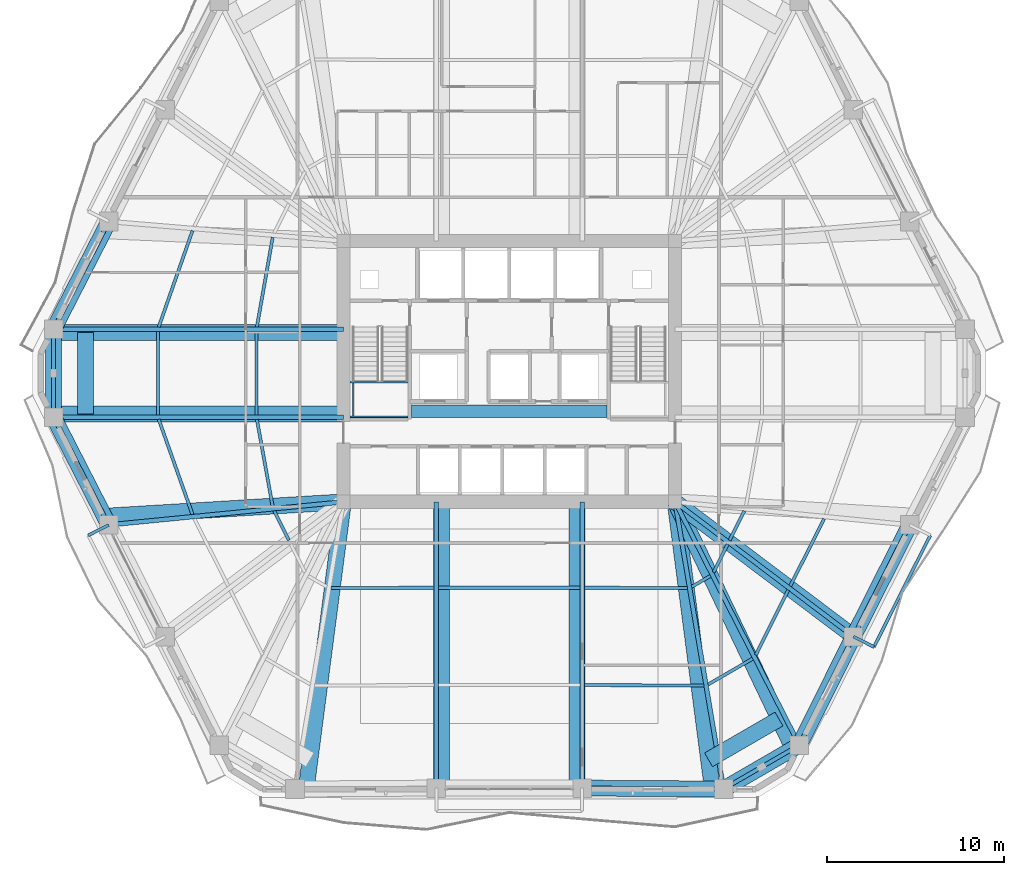
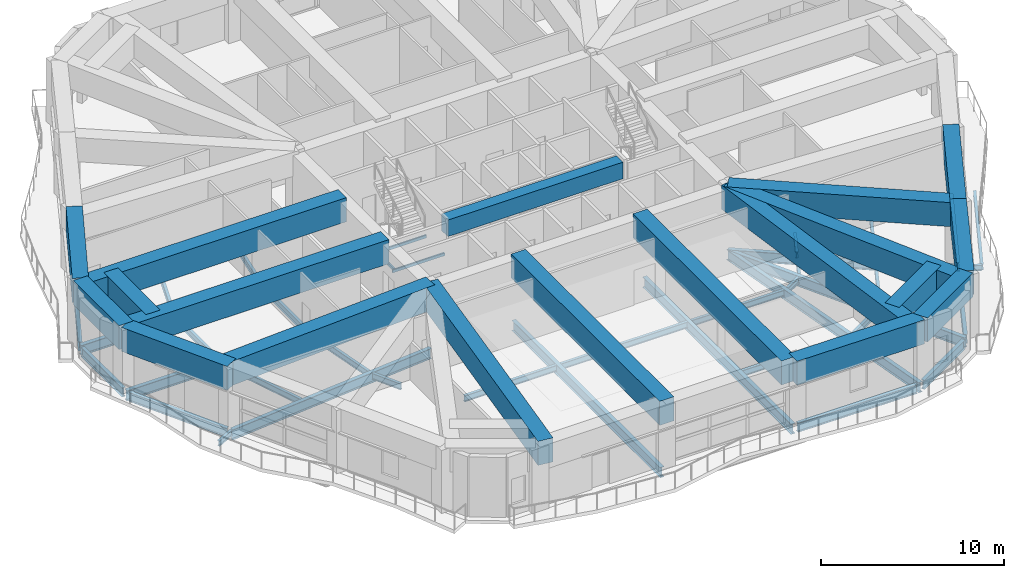
# One storey, part 6 of 23: 57 beams.
"""IFC4 building model written with IfcOpenShell, lengths in metres."""

from ifc_helpers import new_model, si_unit, direction, frame, origin, origin_2d, place, context, subcontext, project, spatial, rectangle, hollow_rectangle, i_section, extrude, material, material_profile, profile_set, type_object, element, save


model = new_model("IFC4")

# Units and contexts
model_context = context("Model", 3, precision=1e-05, world=origin(), true_north=direction((0.0, 1.0)))
body_context = subcontext(model_context, "Body", "Model", "MODEL_VIEW")
ifc_project = project(units=[si_unit("LENGTHUNIT", "METRE"), si_unit("AREAUNIT", "SQUARE_METRE"), si_unit("VOLUMEUNIT", "CUBIC_METRE"), si_unit("PLANEANGLEUNIT", "RADIAN"), si_unit("MASSUNIT", "GRAM", prefix="KILO")], contexts=[model_context])

# Site, building, storey
site_placement = place(None, origin())
site = spatial("IfcSite", under=ifc_project, at=site_placement, CompositionType="ELEMENT")
building_placement = place(site_placement, origin())
building = spatial("IfcBuilding", under=site, at=building_placement, Name="Cinnabar Lancet Tower", CompositionType="ELEMENT")
storey_placement = place(building_placement, frame((0.0, 0.0, 94.199951171875)))
storey = spatial("IfcBuildingStorey", under=building, at=storey_placement, Name="L24", CompositionType="ELEMENT", Elevation=94.199951171875)

# Beams
ifc_material_1 = material(Name="Concrete C70/85", Category="concrete")
ifc_material_profile_1 = material_profile(ifc_material_1, rectangle(XDim=0.89990234375, YDim=1.60009765625, at=origin_2d()), Name="RC-BG 900x1600")
ifc_profile_set_1 = profile_set([ifc_material_profile_1], Name="Concrete C70/85")
beam_type_1 = type_object("IfcBeamType", Name="STR-BM-BG-1600", PredefinedType="BEAM", material=ifc_profile_set_1)
beam_1_placement = place(storey_placement, frame((36.52197265625, 2.342041015625, 3.400146484375), z_axis=(0.999978046407, -0.006626213389, 0.0), x_axis=(0.006626213389, 0.999978046407, 0.0)))
element("IfcBeam", 1, at=beam_1_placement, inside=storey, type_object=beam_type_1, Name="L25 Setback Outer Ring Girder 3", PredefinedType="BEAM", context=body_context, shape_type="SweptSolid", body=[
    extrude(rectangle(XDim=0.89990234375, YDim=1.60009765625, at=origin_2d()), origin(), (0.0, 0.0, 1.0), 7.995361328125),
])
beam_2_placement = place(storey_placement, frame((44.51708984375, 2.2890625, 3.400146484375), z_axis=(0.865200119829, 0.501426717126, 0.0), x_axis=(-0.501426717126, 0.865200119829, 0.0)))
element("IfcBeam", 2, at=beam_2_placement, inside=storey, type_object=beam_type_1, Name="L25 Setback Outer Ring Girder 4", PredefinedType="BEAM", context=body_context, shape_type="SweptSolid", body=[
    extrude(rectangle(XDim=0.89990234375, YDim=1.60009765625, at=origin_2d()), origin(), (0.0, 0.0, 1.0), 4.95361328125),
])
beam_3_placement = place(storey_placement, frame((48.802978515625, 4.77294921875, 3.400146484375), z_axis=(0.445802654818, 0.895131271355, 0.0), x_axis=(-0.895131271355, 0.445802654818, 0.0)))
element("IfcBeam", 3, at=beam_3_placement, inside=storey, type_object=beam_type_1, Name="L25 Setback Outer Ring Girder 5", PredefinedType="BEAM", context=body_context, shape_type="SweptSolid", body=[
    extrude(rectangle(XDim=0.89990234375, YDim=1.60009765625, at=origin_2d()), origin(), (0.0, 0.0, 1.0), 6.854736328125),
])
beam_4_placement = place(storey_placement, frame((51.85888671875, 10.908935546875, 3.400146484375), z_axis=(0.450773692627, 0.892638268301, 0.0), x_axis=(-0.892638268301, 0.450773692627, 0.0)))
element("IfcBeam", 4, at=beam_4_placement, inside=storey, type_object=beam_type_1, Name="L25 Setback Outer Ring Girder 6", PredefinedType="BEAM", context=body_context, shape_type="SweptSolid", body=[
    extrude(rectangle(XDim=0.89990234375, YDim=1.60009765625, at=origin_2d()), origin(), (0.0, 0.0, 1.0), 7.070068359375),
])
beam_5_placement = place(storey_placement, frame((9.75390625, 34.3798828125, 3.400146484375), z_axis=(-0.45593511647, -0.890013016517, 0.0), x_axis=(0.890013016517, -0.45593511647, 0.0)))
element("IfcBeam", 5, at=beam_5_placement, inside=storey, type_object=beam_type_1, Name="L25 Setback Outer Ring Girder 19", PredefinedType="BEAM", context=body_context, shape_type="SweptSolid", body=[
    extrude(rectangle(XDim=0.89990234375, YDim=1.60009765625, at=origin_2d()), origin(), (0.0, 0.0, 1.0), 6.84716796875),
])
beam_6_placement = place(storey_placement, frame((6.632080078125, 28.285888671875, 3.400146484375), z_axis=(0.0, -1.0, 0.0), x_axis=(1.0, 0.0, 0.0)))
element("IfcBeam", 6, at=beam_6_placement, inside=storey, type_object=beam_type_1, Name="L25 Setback Outer Ring Girder 20", PredefinedType="BEAM", context=body_context, shape_type="SweptSolid", body=[
    extrude(rectangle(XDim=0.89990234375, YDim=1.60009765625, at=origin_2d()), origin(), (0.0, 0.0, 1.0), 4.971923828125),
])
beam_7_placement = place(storey_placement, frame((6.632080078125, 23.31396484375, 3.400146484375), z_axis=(0.45593511647, -0.890013016517, 0.0), x_axis=(0.890013016517, 0.45593511647, 0.0)))
element("IfcBeam", 7, at=beam_7_placement, inside=storey, type_object=beam_type_1, Name="L25 Setback Outer Ring Girder 21", PredefinedType="BEAM", context=body_context, shape_type="SweptSolid", body=[
    extrude(rectangle(XDim=0.89990234375, YDim=1.60009765625, at=origin_2d()), origin(), (0.0, 0.0, 1.0), 6.84716796875),
])
beam_8_placement = place(storey_placement, frame((20.9189453125, 2.30908203125, 3.400146484375), z_axis=(0.128788962346, 0.991672023997, 0.0), x_axis=(-0.991672023997, 0.128788962346, 0.0)))
element("IfcBeam", 8, at=beam_8_placement, inside=storey, type_object=beam_type_1, Name="L25 Setback Continuous Radial Transfer Girder 1", PredefinedType="BEAM", context=body_context, shape_type="SweptSolid", body=[
    extrude(rectangle(XDim=0.89990234375, YDim=1.60009765625, at=origin_2d()), origin(), (0.0, 0.0, 1.0), 16.35205078125),
])
for number, where, z_axis, x_axis, name in (
    (9, (28.568115234375, 2.342041015625, 3.400146484375), (0.0, 1.0, 0.0), (-1.0, 0.0, 0.0), "L25 Setback Continuous Radial Transfer Girder 2"),
    (10, (36.23193359375, 2.342041015625, 3.400146484375), (0.0, 1.0, 0.0), (-1.0, 0.0, 0.0), "L25 Setback Continuous Radial Transfer Girder 3"),
):
    element("IfcBeam", number, at=place(storey_placement, frame(where, z_axis=z_axis, x_axis=x_axis)), inside=storey, type_object=beam_type_1, Name=name, PredefinedType="BEAM", context=body_context, shape_type="SweptSolid", body=[
        extrude(rectangle(XDim=0.89990234375, YDim=1.60009765625, at=origin_2d()), origin(), (0.0, 0.0, 1.0), 16.182861328125),
    ])
beam_9_placement = place(storey_placement, frame((43.881103515625, 2.30908203125, 3.400146484375), z_axis=(-0.128803644983, 0.991670117045, 0.0), x_axis=(-0.991670117045, -0.128803644983, 0.0)))
element("IfcBeam", 11, at=beam_9_placement, inside=storey, type_object=beam_type_1, Name="L25 Setback Continuous Radial Transfer Girder 4", PredefinedType="BEAM", context=body_context, shape_type="SweptSolid", body=[
    extrude(rectangle(XDim=0.89990234375, YDim=1.60009765625, at=origin_2d()), origin(), (0.0, 0.0, 1.0), 16.35205078125),
])
beam_10_placement = place(storey_placement, frame((48.3779296875, 4.721923828125, 3.400146484375), z_axis=(-0.43154074848, 0.902093444384, 0.0), x_axis=(-0.902093444384, -0.43154074848, 0.0)))
element("IfcBeam", 12, at=beam_10_placement, inside=storey, type_object=beam_type_1, Name="L25 Setback Continuous Radial Transfer Girder 5", PredefinedType="BEAM", context=body_context, shape_type="SweptSolid", body=[
    extrude(rectangle(XDim=0.89990234375, YDim=1.60009765625, at=origin_2d()), origin(), (0.0, 0.0, 1.0), 15.301025390625),
])
beam_11_placement = place(storey_placement, frame((51.842041015625, 10.93505859375, 3.400146484375), z_axis=(-0.798494030799, 0.602002726554, 0.0), x_axis=(-0.602002726554, -0.798494030799, 0.0)))
element("IfcBeam", 13, at=beam_11_placement, inside=storey, type_object=beam_type_1, Name="L25 Setback Continuous Radial Transfer Girder 6", PredefinedType="BEAM", context=body_context, shape_type="SweptSolid", body=[
    extrude(rectangle(XDim=0.89990234375, YDim=1.60009765625, at=origin_2d()), origin(), (0.0, 0.0, 1.0), 12.607666015625),
])
for number, where, z_axis, x_axis, name in (
    (14, (6.7509765625, 28.10888671875, 3.400146484375), (1.0, 0.0, 0.0), (0.0, 1.0, 0.0), "L25 Setback Continuous Radial Transfer Girder 20"),
    (15, (6.7509765625, 23.490966796875, 3.400146484375), (1.0, 0.0, 0.0), (0.0, 1.0, 0.0), "L25 Setback Continuous Radial Transfer Girder 21"),
):
    element("IfcBeam", number, at=place(storey_placement, frame(where, z_axis=z_axis, x_axis=x_axis)), inside=storey, type_object=beam_type_1, Name=name, PredefinedType="BEAM", context=body_context, shape_type="SweptSolid", body=[
        extrude(rectangle(XDim=0.89990234375, YDim=1.60009765625, at=origin_2d()), origin(), (0.0, 0.0, 1.0), 16.27392578125),
    ])
beam_12_placement = place(storey_placement, frame((9.656005859375, 17.721923828125, 3.400146484375), z_axis=(0.998201072725, 0.059955136657, 0.0), x_axis=(-0.059955136657, 0.998201072725, 0.0)))
element("IfcBeam", 16, at=beam_12_placement, inside=storey, type_object=beam_type_1, Name="L25 Setback Continuous Radial Transfer Girder 22", PredefinedType="BEAM", context=body_context, shape_type="SweptSolid", body=[
    extrude(rectangle(XDim=0.89990234375, YDim=1.60009765625, at=origin_2d()), origin(), (0.0, 0.0, 1.0), 13.39306640625),
])
beam_13_placement = place(storey_placement, frame((43.6689453125, 3.93896484375, 3.400146484375), z_axis=(0.865150012959, 0.501513165407, 0.0), x_axis=(-0.501513165407, 0.865150012959, 0.0)))
element("IfcBeam", 17, at=beam_13_placement, inside=storey, type_object=beam_type_1, Name="L25 Setback Pilaster Transfer Chord 2", PredefinedType="BEAM", context=body_context, shape_type="SweptSolid", body=[
    extrude(rectangle(XDim=0.89990234375, YDim=1.60009765625, at=origin_2d()), origin(), (0.0, 0.0, 1.0), 4.600341796875),
])
beam_14_placement = place(storey_placement, frame((8.443115234375, 28.10888671875, 3.400146484375), z_axis=(0.0, -1.0, 0.0), x_axis=(1.0, 0.0, 0.0)))
element("IfcBeam", 18, at=beam_14_placement, inside=storey, type_object=beam_type_1, Name="L25 Setback Pilaster Transfer Chord 6", PredefinedType="BEAM", context=body_context, shape_type="SweptSolid", body=[
    extrude(rectangle(XDim=0.89990234375, YDim=1.60009765625, at=origin_2d()), origin(), (0.0, 0.0, 1.0), 4.617919921875),
])
ifc_material_2 = material(Name="Concrete C70/85", Category="concrete")
ifc_material_profile_2 = material_profile(ifc_material_2, rectangle(XDim=0.699951171875, YDim=1.10009765625, at=origin_2d()), Name="RC-CB 700x1100")
ifc_profile_set_2 = profile_set([ifc_material_profile_2], Name="Concrete C70/85")
beam_type_2 = type_object("IfcBeamType", Name="STR-BM-CB-1100", PredefinedType="BEAM", material=ifc_profile_set_2)
beam_15_placement = place(storey_placement, frame((26.8798828125, 23.64990234375, 3.43994140625), z_axis=(1.0, 0.0, 0.0), x_axis=(0.0, 1.0, 0.0)))
element("IfcBeam", 19, at=beam_15_placement, inside=storey, type_object=beam_type_2, Name="L24 Core Coupling Beam", PredefinedType="BEAM", context=body_context, shape_type="SweptSolid", body=[
    extrude(rectangle(XDim=0.699951171875, YDim=1.10009765625, at=origin_2d()), origin(), (0.0, 0.0, 1.0), 11.0400390625),
])
ifc_material_3 = material(Name="Structural steel S355", Category="steel")
ifc_material_profile_3 = material_profile(ifc_material_3, i_section(OverallWidth=0.177978515625, OverallDepth=0.406494140625, WebThickness=0.0078125, FlangeThickness=0.0126953125, FilletRadius=0.01025390625, at=origin_2d()), Name="UKB 406x178x60")
ifc_profile_set_3 = profile_set([ifc_material_profile_3], Name="Structural steel S355")
beam_type_3 = type_object("IfcBeamType", Name="STR-BM-JST-406", PredefinedType="JOIST", material=ifc_profile_set_3)
beam_16_placement = place(storey_placement, frame((12.5791015625, 23.18701171875, -0.4228515625), z_axis=(0.334725039774, -0.942315842883, 0.0), x_axis=(0.942315842883, 0.334725039774, 0.0)))
element("IfcBeam", 20, at=beam_16_placement, inside=storey, type_object=beam_type_3, Name="L24 Secondary Floor Joist 1", PredefinedType="JOIST", context=body_context, shape_type="SweptSolid", body=[
    extrude(i_section(OverallWidth=0.177978515625, OverallDepth=0.406494140625, WebThickness=0.0078125, FlangeThickness=0.0126953125, FilletRadius=0.01025390625, at=origin_2d()), origin(), (0.0, 0.0, 1.0), 5.702880859375),
])
beam_17_placement = place(storey_placement, frame((18.1298828125, 23.18701171875, -0.4228515625), z_axis=(0.177941534491, -0.984041061289, 0.0), x_axis=(0.984041061289, 0.177941534491, 0.0)))
element("IfcBeam", 21, at=beam_17_placement, inside=storey, type_object=beam_type_3, Name="L24 Secondary Floor Joist 2", PredefinedType="JOIST", context=body_context, shape_type="SweptSolid", body=[
    extrude(i_section(OverallWidth=0.177978515625, OverallDepth=0.406494140625, WebThickness=0.0078125, FlangeThickness=0.0126953125, FilletRadius=0.01025390625, at=origin_2d()), origin(), (0.0, 0.0, 1.0), 5.0078125),
])
beam_18_placement = place(storey_placement, frame((19.10498046875, 18.011962890625, -0.4228515625), z_axis=(0.450839777892, -0.892604892811, 0.0), x_axis=(0.892604892811, 0.450839777892, 0.0)))
element("IfcBeam", 22, at=beam_18_placement, inside=storey, type_object=beam_type_3, Name="L24 Secondary Floor Joist 4", PredefinedType="JOIST", context=body_context, shape_type="SweptSolid", body=[
    extrude(i_section(OverallWidth=0.177978515625, OverallDepth=0.406494140625, WebThickness=0.0078125, FlangeThickness=0.0126953125, FilletRadius=0.01025390625, at=origin_2d()), origin(), (0.0, 0.0, 1.0), 1.8564453125),
])
beam_19_placement = place(storey_placement, frame((22.3310546875, 13.655029296875, -0.4228515625), z_axis=(0.99999672593, 0.00255893113, 0.0), x_axis=(-0.00255893113, 0.99999672593, 0.0)))
element("IfcBeam", 23, at=beam_19_placement, inside=storey, type_object=beam_type_3, Name="L24 Secondary Floor Joist 10", PredefinedType="JOIST", context=body_context, shape_type="SweptSolid", body=[
    extrude(i_section(OverallWidth=0.177978515625, OverallDepth=0.406494140625, WebThickness=0.0078125, FlangeThickness=0.0126953125, FilletRadius=0.01025390625, at=origin_2d()), origin(), (0.0, 0.0, 1.0), 5.81982421875),
])
beam_20_placement = place(storey_placement, frame((28.405029296875, 13.669921875, -0.4228515625), z_axis=(1.0, 0.0, 0.0), x_axis=(0.0, 1.0, 0.0)))
element("IfcBeam", 24, at=beam_20_placement, inside=storey, type_object=beam_type_3, Name="L24 Secondary Floor Joist 12", PredefinedType="JOIST", context=body_context, shape_type="SweptSolid", body=[
    extrude(i_section(OverallWidth=0.177978515625, OverallDepth=0.406494140625, WebThickness=0.0078125, FlangeThickness=0.0126953125, FilletRadius=0.01025390625, at=origin_2d()), origin(), (0.0, 0.0, 1.0), 7.989990234375),
])
beam_21_placement = place(storey_placement, frame((36.64892578125, 8.1669921875, -0.4228515625), z_axis=(0.999988781713, -0.004736712844, 0.0), x_axis=(0.004736712844, 0.999988781713, 0.0)))
element("IfcBeam", 25, at=beam_21_placement, inside=storey, type_object=beam_type_3, Name="L24 Secondary Floor Joist 13", PredefinedType="JOIST", context=body_context, shape_type="SweptSolid", body=[
    extrude(i_section(OverallWidth=0.177978515625, OverallDepth=0.406494140625, WebThickness=0.0078125, FlangeThickness=0.0126953125, FilletRadius=0.01025390625, at=origin_2d()), origin(), (0.0, 0.0, 1.0), 6.751953125),
])
beam_22_placement = place(storey_placement, frame((36.64892578125, 13.669921875, -0.4228515625), z_axis=(0.999996726205, -0.002558823789, 0.0), x_axis=(0.002558823789, 0.999996726205, 0.0)))
element("IfcBeam", 26, at=beam_22_placement, inside=storey, type_object=beam_type_3, Name="L24 Secondary Floor Joist 14", PredefinedType="JOIST", context=body_context, shape_type="SweptSolid", body=[
    extrude(i_section(OverallWidth=0.177978515625, OverallDepth=0.406494140625, WebThickness=0.0078125, FlangeThickness=0.0126953125, FilletRadius=0.01025390625, at=origin_2d()), origin(), (0.0, 0.0, 1.0), 5.820068359375),
])
beam_23_placement = place(storey_placement, frame((43.64697265625, 8.201904296875, -0.4228515625), z_axis=(0.865230791262, 0.501373790551, 0.0), x_axis=(-0.501373790551, 0.865230791262, 0.0)))
element("IfcBeam", 27, at=beam_23_placement, inside=storey, type_object=beam_type_3, Name="L24 Secondary Floor Joist 15", PredefinedType="JOIST", context=body_context, shape_type="SweptSolid", body=[
    extrude(i_section(OverallWidth=0.177978515625, OverallDepth=0.406494140625, WebThickness=0.0078125, FlangeThickness=0.0126953125, FilletRadius=0.01025390625, at=origin_2d()), origin(), (0.0, 0.0, 1.0), 2.907958984375),
])
beam_24_placement = place(storey_placement, frame((42.715087890625, 13.721923828125, -0.4228515625), z_axis=(0.864870018283, 0.501995867986, 0.0), x_axis=(-0.501995867986, 0.864870018283, 0.0)))
element("IfcBeam", 28, at=beam_24_placement, inside=storey, type_object=beam_type_3, Name="L24 Secondary Floor Joist 16", PredefinedType="JOIST", context=body_context, shape_type="SweptSolid", body=[
    extrude(i_section(OverallWidth=0.177978515625, OverallDepth=0.406494140625, WebThickness=0.0078125, FlangeThickness=0.0126953125, FilletRadius=0.01025390625, at=origin_2d()), origin(), (0.0, 0.0, 1.0), 1.22314453125),
])
beam_25_placement = place(storey_placement, frame((46.343017578125, 9.864990234375, -0.4228515625), z_axis=(0.445831561814, 0.895116874207, 0.0), x_axis=(-0.895116874207, 0.445831561814, 0.0)))
element("IfcBeam", 29, at=beam_25_placement, inside=storey, type_object=beam_type_3, Name="L24 Secondary Floor Joist 17", PredefinedType="JOIST", context=body_context, shape_type="SweptSolid", body=[
    extrude(i_section(OverallWidth=0.177978515625, OverallDepth=0.406494140625, WebThickness=0.0078125, FlangeThickness=0.0126953125, FilletRadius=0.01025390625, at=origin_2d()), origin(), (0.0, 0.0, 1.0), 4.099853515625),
])
beam_26_placement = place(storey_placement, frame((43.9541015625, 14.541015625, -0.4228515625), z_axis=(0.445778141453, 0.895143479339, 0.0), x_axis=(-0.895143479339, 0.445778141453, 0.0)))
element("IfcBeam", 30, at=beam_26_placement, inside=storey, type_object=beam_type_3, Name="L24 Secondary Floor Joist 18", PredefinedType="JOIST", context=body_context, shape_type="SweptSolid", body=[
    extrude(i_section(OverallWidth=0.177978515625, OverallDepth=0.406494140625, WebThickness=0.0078125, FlangeThickness=0.0126953125, FilletRadius=0.01025390625, at=origin_2d()), origin(), (0.0, 0.0, 1.0), 1.76953125),
])
beam_27_placement = place(storey_placement, frame((48.287109375, 13.76611328125, -0.4228515625), z_axis=(0.450763900798, 0.892643213012, 0.0), x_axis=(-0.892643213012, 0.450763900798, 0.0)))
element("IfcBeam", 31, at=beam_27_placement, inside=storey, type_object=beam_type_3, Name="L24 Secondary Floor Joist 19", PredefinedType="JOIST", context=body_context, shape_type="SweptSolid", body=[
    extrude(i_section(OverallWidth=0.177978515625, OverallDepth=0.406494140625, WebThickness=0.0078125, FlangeThickness=0.0126953125, FilletRadius=0.01025390625, at=origin_2d()), origin(), (0.0, 0.0, 1.0), 4.25927734375),
])
beam_28_placement = place(storey_placement, frame((44.85791015625, 16.35498046875, -0.4228515625), z_axis=(0.450944553771, 0.892551964551, 0.0), x_axis=(-0.892551964551, 0.450944553771, 0.0)))
element("IfcBeam", 32, at=beam_28_placement, inside=storey, type_object=beam_type_3, Name="L24 Secondary Floor Joist 20", PredefinedType="JOIST", context=body_context, shape_type="SweptSolid", body=[
    extrude(i_section(OverallWidth=0.177978515625, OverallDepth=0.406494140625, WebThickness=0.0078125, FlangeThickness=0.0126953125, FilletRadius=0.01025390625, at=origin_2d()), origin(), (0.0, 0.0, 1.0), 1.8564453125),
])
beam_29_placement = place(storey_placement, frame((14.488037109375, 33.85888671875, -0.4228515625), z_axis=(-0.330987266454, -0.943635220541, 0.0), x_axis=(0.943635220541, -0.330987266454, 0.0)))
element("IfcBeam", 33, at=beam_29_placement, inside=storey, type_object=beam_type_3, Name="L24 Secondary Floor Joist 45", PredefinedType="JOIST", context=body_context, shape_type="SweptSolid", body=[
    extrude(i_section(OverallWidth=0.177978515625, OverallDepth=0.406494140625, WebThickness=0.0078125, FlangeThickness=0.0126953125, FilletRadius=0.01025390625, at=origin_2d()), origin(), (0.0, 0.0, 1.0), 5.77099609375),
])
beam_30_placement = place(storey_placement, frame((19.02197265625, 33.48095703125, -0.4228515625), z_axis=(-0.173547157688, -0.984825560218, 0.0), x_axis=(0.984825560218, -0.173547157688, 0.0)))
element("IfcBeam", 34, at=beam_30_placement, inside=storey, type_object=beam_type_3, Name="L24 Secondary Floor Joist 46", PredefinedType="JOIST", context=body_context, shape_type="SweptSolid", body=[
    extrude(i_section(OverallWidth=0.177978515625, OverallDepth=0.406494140625, WebThickness=0.0078125, FlangeThickness=0.0126953125, FilletRadius=0.01025390625, at=origin_2d()), origin(), (0.0, 0.0, 1.0), 5.14599609375),
])
for number, where, z_axis, x_axis, name in (
    (35, (12.532958984375, 28.158935546875, -0.4228515625), (0.0, -1.0, 0.0), (1.0, 0.0, 0.0), "L24 Secondary Floor Joist 47"),
    (36, (18.10693359375, 28.158935546875, -0.4228515625), (0.0, -1.0, 0.0), (1.0, 0.0, 0.0), "L24 Secondary Floor Joist 48"),
):
    element("IfcBeam", number, at=place(storey_placement, frame(where, z_axis=z_axis, x_axis=x_axis)), inside=storey, type_object=beam_type_3, Name=name, PredefinedType="JOIST", context=body_context, shape_type="SweptSolid", body=[
        extrude(i_section(OverallWidth=0.177978515625, OverallDepth=0.406494140625, WebThickness=0.0078125, FlangeThickness=0.0126953125, FilletRadius=0.01025390625, at=origin_2d()), origin(), (0.0, 0.0, 1.0), 4.718017578125),
    ])
ifc_material_4 = material(Name="Structural steel S355", Category="steel")
ifc_material_profile_4 = material_profile(ifc_material_4, hollow_rectangle(XDim=0.10009765625, YDim=0.199951171875, WallThickness=0.008056640625, InnerFilletRadius=0.00390625, OuterFilletRadius=0.011962890625, at=origin_2d()), Name="RHS 200x100x8")
ifc_profile_set_4 = profile_set([ifc_material_profile_4], Name="Structural steel S355")
beam_type_4 = type_object("IfcBeamType", Name="STR-BM-LND-203", PredefinedType="BEAM", material=ifc_profile_set_4)
for number, where, z_axis, x_axis, name in (
    (37, (23.39990234375, 23.330078125, 1.800048828125), (1.0, 0.0, 0.0), (0.0, 1.0, 0.0), "L24 ST-1-L24 Landing Support Beam S"),
    (38, (23.39990234375, 25.294921875, 1.800048828125), (1.0, 0.0, 0.0), (0.0, 1.0, 0.0), "L24 ST-1-L24 Landing Support Beam N"),
):
    element("IfcBeam", number, at=place(storey_placement, frame(where, z_axis=z_axis, x_axis=x_axis)), inside=storey, type_object=beam_type_4, Name=name, PredefinedType="BEAM", context=body_context, shape_type="SweptSolid", body=[
        extrude(hollow_rectangle(XDim=0.10009765625, YDim=0.199951171875, WallThickness=0.008056640625, InnerFilletRadius=0.00390625, OuterFilletRadius=0.011962890625, at=origin_2d()), origin(), (0.0, 0.0, 1.0), 3.280029296875),
    ])
beam_31_placement = place(storey_placement, frame((23.580078125, 23.3798828125, 1.800048828125), z_axis=(0.0, 1.0, 0.0), x_axis=(-1.0, 0.0, 0.0)))
element("IfcBeam", 39, at=beam_31_placement, inside=storey, type_object=beam_type_4, Name="L24 ST-1-L24 Landing Side Trimmer Beam", PredefinedType="BEAM", context=body_context, shape_type="SweptSolid", body=[
    extrude(hollow_rectangle(XDim=0.10009765625, YDim=0.199951171875, WallThickness=0.008056640625, InnerFilletRadius=0.00390625, OuterFilletRadius=0.011962890625, at=origin_2d()), origin(), (0.0, 0.0, 1.0), 1.865234375),
])
ifc_material_5 = material(Name="Structural steel S355", Category="steel")
ifc_material_profile_5 = material_profile(ifc_material_5, i_section(OverallWidth=0.228271484375, OverallDepth=0.607666015625, WebThickness=0.010986328125, FlangeThickness=0.017333984375, FilletRadius=0.0126953125, at=origin_2d()), Name="UKB 610x229x113")
ifc_profile_set_5 = profile_set([ifc_material_profile_5], Name="Structural steel S355")
beam_type_5 = type_object("IfcBeamType", Name="STR-BM-SPN-610", PredefinedType="SPANDREL", material=ifc_profile_set_5)
beam_32_placement = place(storey_placement, frame((36.77197265625, 2.340087890625, -0.52392578125), z_axis=(0.99997856757, -0.006547090947, 0.0), x_axis=(0.006547090947, 0.99997856757, 0.0)))
element("IfcBeam", 40, at=beam_32_placement, inside=storey, type_object=beam_type_5, Name="L24 Perimeter Spandrel 3", PredefinedType="SPANDREL", context=body_context, shape_type="SweptSolid", body=[
    extrude(i_section(OverallWidth=0.228271484375, OverallDepth=0.607666015625, WebThickness=0.010986328125, FlangeThickness=0.017333984375, FilletRadius=0.0126953125, at=origin_2d()), origin(), (0.0, 0.0, 1.0), 7.495361328125),
])
beam_33_placement = place(storey_placement, frame((44.73291015625, 2.4140625, -0.52392578125), z_axis=(0.865171017323, 0.501476929463, 0.0), x_axis=(-0.501476929463, 0.865171017323, 0.0)))
element("IfcBeam", 41, at=beam_33_placement, inside=storey, type_object=beam_type_5, Name="L24 Perimeter Spandrel 4", PredefinedType="SPANDREL", context=body_context, shape_type="SweptSolid", body=[
    extrude(i_section(OverallWidth=0.228271484375, OverallDepth=0.607666015625, WebThickness=0.010986328125, FlangeThickness=0.017333984375, FilletRadius=0.0126953125, at=origin_2d()), origin(), (0.0, 0.0, 1.0), 4.45458984375),
])
beam_34_placement = place(storey_placement, frame((48.9140625, 4.9970703125, -0.52392578125), z_axis=(0.445953050023, 0.89505635419, 0.0), x_axis=(-0.89505635419, 0.445953050023, 0.0)))
element("IfcBeam", 42, at=beam_34_placement, inside=storey, type_object=beam_type_5, Name="L24 Perimeter Spandrel 5", PredefinedType="SPANDREL", context=body_context, shape_type="SweptSolid", body=[
    extrude(i_section(OverallWidth=0.228271484375, OverallDepth=0.607666015625, WebThickness=0.010986328125, FlangeThickness=0.017333984375, FilletRadius=0.0126953125, at=origin_2d()), origin(), (0.0, 0.0, 1.0), 6.35498046875),
])
beam_35_placement = place(storey_placement, frame((51.971923828125, 11.132080078125, -0.52392578125), z_axis=(0.450703143926, 0.892673891214, 0.0), x_axis=(-0.892673891214, 0.450703143926, 0.0)))
element("IfcBeam", 43, at=beam_35_placement, inside=storey, type_object=beam_type_5, Name="L24 Perimeter Spandrel 6", PredefinedType="SPANDREL", context=body_context, shape_type="SweptSolid", body=[
    extrude(i_section(OverallWidth=0.228271484375, OverallDepth=0.607666015625, WebThickness=0.010986328125, FlangeThickness=0.017333984375, FilletRadius=0.0126953125, at=origin_2d()), origin(), (0.0, 0.0, 1.0), 6.570068359375),
])
beam_36_placement = place(storey_placement, frame((9.639892578125, 34.156982421875, -0.52392578125), z_axis=(-0.455994051912, -0.889982822655, 0.0), x_axis=(0.889982822655, -0.455994051912, 0.0)))
element("IfcBeam", 44, at=beam_36_placement, inside=storey, type_object=beam_type_5, Name="L24 Perimeter Spandrel 19", PredefinedType="SPANDREL", context=body_context, shape_type="SweptSolid", body=[
    extrude(i_section(OverallWidth=0.228271484375, OverallDepth=0.607666015625, WebThickness=0.010986328125, FlangeThickness=0.017333984375, FilletRadius=0.0126953125, at=origin_2d()), origin(), (0.0, 0.0, 1.0), 6.34619140625),
])
beam_37_placement = place(storey_placement, frame((6.632080078125, 28.035888671875, -0.52392578125), z_axis=(0.0, -1.0, 0.0), x_axis=(1.0, 0.0, 0.0)))
element("IfcBeam", 45, at=beam_37_placement, inside=storey, type_object=beam_type_5, Name="L24 Perimeter Spandrel 20", PredefinedType="SPANDREL", context=body_context, shape_type="SweptSolid", body=[
    extrude(i_section(OverallWidth=0.228271484375, OverallDepth=0.607666015625, WebThickness=0.010986328125, FlangeThickness=0.017333984375, FilletRadius=0.0126953125, at=origin_2d()), origin(), (0.0, 0.0, 1.0), 4.471923828125),
])
beam_38_placement = place(storey_placement, frame((6.74609375, 23.091064453125, -0.52392578125), z_axis=(0.455994051912, -0.889982822655, 0.0), x_axis=(0.889982822655, 0.455994051912, 0.0)))
element("IfcBeam", 46, at=beam_38_placement, inside=storey, type_object=beam_type_5, Name="L24 Perimeter Spandrel 21", PredefinedType="SPANDREL", context=body_context, shape_type="SweptSolid", body=[
    extrude(i_section(OverallWidth=0.228271484375, OverallDepth=0.607666015625, WebThickness=0.010986328125, FlangeThickness=0.017333984375, FilletRadius=0.0126953125, at=origin_2d()), origin(), (0.0, 0.0, 1.0), 6.34619140625),
])
ifc_material_6 = material(Name="Structural steel S355", Category="steel")
ifc_material_profile_6 = material_profile(ifc_material_6, i_section(OverallWidth=0.253662109375, OverallDepth=0.68359375, WebThickness=0.012451171875, FlangeThickness=0.01904296875, FilletRadius=0.01513671875, at=origin_2d()), Name="UKB 686x254x140")
ifc_profile_set_6 = profile_set([ifc_material_profile_6], Name="Structural steel S355")
beam_type_6 = type_object("IfcBeamType", Name="STR-BM-UKB686-140", PredefinedType="BEAM", material=ifc_profile_set_6)
beam_39_placement = place(storey_placement, frame((51.85888671875, 10.908935546875, -0.56201171875), z_axis=(-0.797983154837, 0.602679752933, 0.0), x_axis=(-0.602679752933, -0.797983154837, 0.0)))
element("IfcBeam", 47, at=beam_39_placement, inside=storey, type_object=beam_type_6, Name="L24 Corner Collector Girder 2", PredefinedType="BEAM", context=body_context, shape_type="SweptSolid", body=[
    extrude(i_section(OverallWidth=0.253662109375, OverallDepth=0.68359375, WebThickness=0.012451171875, FlangeThickness=0.01904296875, FilletRadius=0.01513671875, at=origin_2d()), origin(), (0.0, 0.0, 1.0), 12.63671875),
])
for number, where, z_axis, x_axis, name in (
    (48, (28.278076171875, 2.342041015625, -0.56201171875), (0.0, 1.0, 0.0), (-1.0, 0.0, 0.0), "L24 Primary Floor Girder 2"),
    (49, (36.52197265625, 2.342041015625, -0.56201171875), (0.0, 1.0, 0.0), (-1.0, 0.0, 0.0), "L24 Primary Floor Girder 3"),
):
    element("IfcBeam", number, at=place(storey_placement, frame(where, z_axis=z_axis, x_axis=x_axis)), inside=storey, type_object=beam_type_6, Name=name, PredefinedType="BEAM", context=body_context, shape_type="SweptSolid", body=[
        extrude(i_section(OverallWidth=0.253662109375, OverallDepth=0.68359375, WebThickness=0.012451171875, FlangeThickness=0.01904296875, FilletRadius=0.01513671875, at=origin_2d()), origin(), (0.0, 0.0, 1.0), 16.182861328125),
    ])
beam_40_placement = place(storey_placement, frame((44.51708984375, 2.2890625, -0.56201171875), z_axis=(-0.166538518453, 0.98603494962, 0.0), x_axis=(-0.98603494962, -0.166538518453, 0.0)))
element("IfcBeam", 50, at=beam_40_placement, inside=storey, type_object=beam_type_6, Name="L24 Primary Floor Girder 4", PredefinedType="BEAM", context=body_context, shape_type="SweptSolid", body=[
    extrude(i_section(OverallWidth=0.253662109375, OverallDepth=0.68359375, WebThickness=0.012451171875, FlangeThickness=0.01904296875, FilletRadius=0.01513671875, at=origin_2d()), origin(), (0.0, 0.0, 1.0), 16.4658203125),
])
beam_41_placement = place(storey_placement, frame((48.802978515625, 4.77294921875, -0.56201171875), z_axis=(-0.455075128525, 0.89045304615, 0.0), x_axis=(-0.89045304615, -0.455075128525, 0.0)))
element("IfcBeam", 51, at=beam_41_placement, inside=storey, type_object=beam_type_6, Name="L24 Primary Floor Girder 5", PredefinedType="BEAM", context=body_context, shape_type="SweptSolid", body=[
    extrude(i_section(OverallWidth=0.253662109375, OverallDepth=0.68359375, WebThickness=0.012451171875, FlangeThickness=0.01904296875, FilletRadius=0.01513671875, at=origin_2d()), origin(), (0.0, 0.0, 1.0), 15.44384765625),
])
for number, where, z_axis, x_axis, name in (
    (52, (6.632080078125, 28.285888671875, -0.56201171875), (1.0, 0.0, 0.0), (0.0, 1.0, 0.0), "L24 Primary Floor Girder 20"),
    (53, (6.632080078125, 23.31396484375, -0.56201171875), (1.0, 0.0, 0.0), (0.0, 1.0, 0.0), "L24 Primary Floor Girder 21"),
):
    element("IfcBeam", number, at=place(storey_placement, frame(where, z_axis=z_axis, x_axis=x_axis)), inside=storey, type_object=beam_type_6, Name=name, PredefinedType="BEAM", context=body_context, shape_type="SweptSolid", body=[
        extrude(i_section(OverallWidth=0.253662109375, OverallDepth=0.68359375, WebThickness=0.012451171875, FlangeThickness=0.01904296875, FilletRadius=0.01513671875, at=origin_2d()), origin(), (0.0, 0.0, 1.0), 16.392822265625),
    ])
beam_42_placement = place(storey_placement, frame((9.75390625, 17.219970703125, -0.56201171875), z_axis=(0.995200421983, 0.097857652149, 0.0), x_axis=(-0.097857652149, 0.995200421983, 0.0)))
element("IfcBeam", 54, at=beam_42_placement, inside=storey, type_object=beam_type_6, Name="L24 Primary Floor Girder 22", PredefinedType="BEAM", context=body_context, shape_type="SweptSolid", body=[
    extrude(i_section(OverallWidth=0.253662109375, OverallDepth=0.68359375, WebThickness=0.012451171875, FlangeThickness=0.01904296875, FilletRadius=0.01513671875, at=origin_2d()), origin(), (0.0, 0.0, 1.0), 13.3349609375),
])
ifc_material_7 = material(Name="Structural steel S355", Category="steel")
ifc_material_profile_7 = material_profile(ifc_material_7, i_section(OverallWidth=0.17138671875, OverallDepth=0.35498046875, WebThickness=0.00732421875, FlangeThickness=0.011474609375, FilletRadius=0.01025390625, at=origin_2d()), Name="UKB 356x171x51")
ifc_profile_set_7 = profile_set([ifc_material_profile_7], Name="Structural steel S355")
beam_type_7 = type_object("IfcBeamType", Name="STR-BM-WAV-OUT", PredefinedType="BEAM", material=ifc_profile_set_7)
for number, where, z_axis, x_axis, name in (
    (55, (51.85888671875, 10.908935546875, -0.41796875), (0.892314203325, -0.451414845285, 0.0), (0.451414845285, 0.892314203325, 0.0), "L24 Face 2 Balcony Outlooker A"),
    (56, (9.75390625, 17.219970703125, -0.41796875), (-0.89227592947, -0.451490493464, 0.0), (0.451490493464, -0.89227592947, 0.0), "L24 Face 6 Balcony Outlooker A"),
):
    element("IfcBeam", number, at=place(storey_placement, frame(where, z_axis=z_axis, x_axis=x_axis)), inside=storey, type_object=beam_type_7, Name=name, PredefinedType="BEAM", context=body_context, shape_type="SweptSolid", body=[
        extrude(i_section(OverallWidth=0.17138671875, OverallDepth=0.35498046875, WebThickness=0.00732421875, FlangeThickness=0.011474609375, FilletRadius=0.01025390625, at=origin_2d()), origin(), (0.0, 0.0, 1.0), 1.300048828125),
    ])
ifc_material_8 = material(Name="Structural steel S355", Category="steel")
ifc_material_profile_8 = material_profile(ifc_material_8, i_section(OverallWidth=0.17138671875, OverallDepth=0.35498046875, WebThickness=0.00732421875, FlangeThickness=0.011474609375, FilletRadius=0.01025390625, at=origin_2d()), Name="UKB 356x171x51")
ifc_profile_set_8 = profile_set([ifc_material_profile_8], Name="Structural steel S355")
beam_type_8 = type_object("IfcBeamType", Name="STR-BM-WAV-TRIM", PredefinedType="SPANDREL", material=ifc_profile_set_8)
beam_43_placement = place(storey_placement, frame((53.01904296875, 10.322021484375, -0.41796875), z_axis=(0.450773692627, 0.892638268301, 0.0), x_axis=(-0.892638268301, 0.450773692627, 0.0)))
element("IfcBeam", 57, at=beam_43_placement, inside=storey, type_object=beam_type_8, Name="L24 Face 2 Balcony Edge Trimmer", PredefinedType="SPANDREL", context=body_context, shape_type="SweptSolid", body=[
    extrude(i_section(OverallWidth=0.17138671875, OverallDepth=0.35498046875, WebThickness=0.00732421875, FlangeThickness=0.011474609375, FilletRadius=0.01025390625, at=origin_2d()), origin(), (0.0, 0.0, 1.0), 7.070068359375),
])

save(model, "model.ifc")
